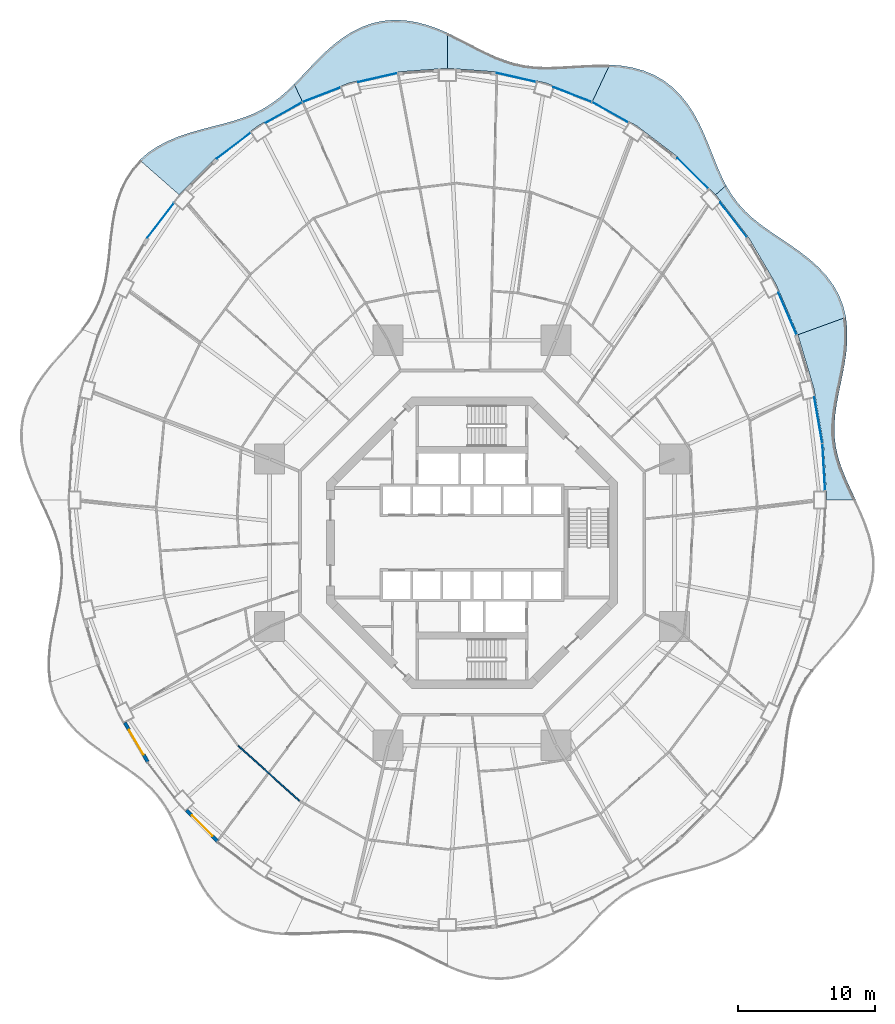
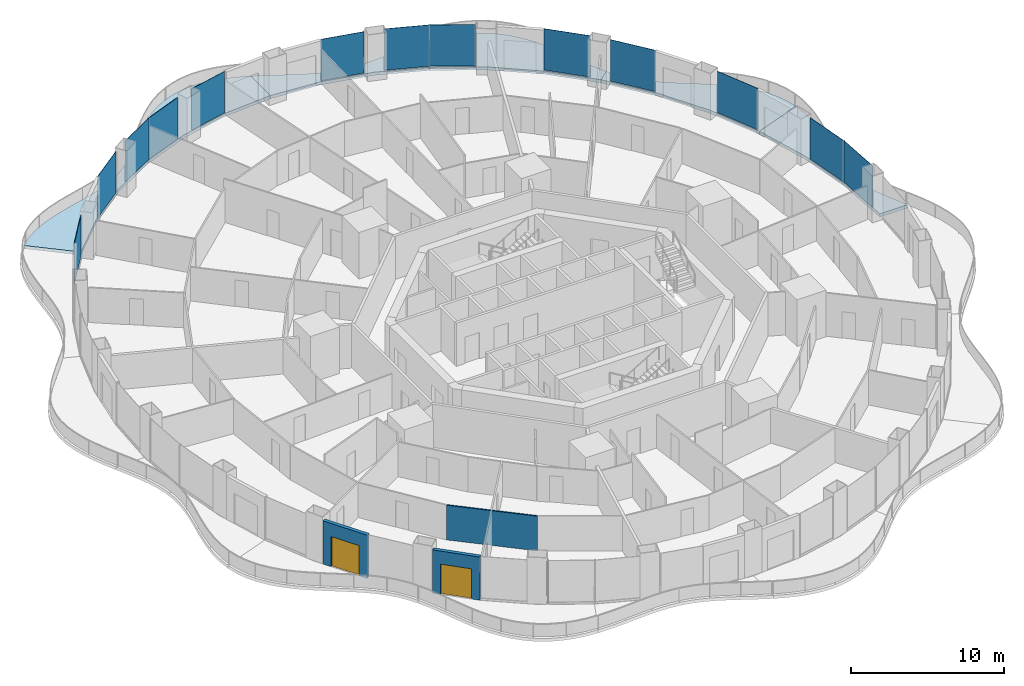
# One storey, part 13 of 22: 13 plates, 6 slabs, 3 walls, 2 doors, 2 openings, 13 elements without a shape of their own.
"""IFC4 building model written with IfcOpenShell, lengths in metres."""

from ifc_helpers import new_model, si_unit, direction, frame, frame_2d, origin, origin_2d, place, context, subcontext, project, spatial, polyline, rectangle, outline, extrude, material, layer, layer_set, type_object, element, fill, aggregate, save


model = new_model("IFC4")

# Units and contexts
model_context = context("Model", 3, precision=1e-05, world=origin(), true_north=direction((0.0, 1.0)))
body_context = subcontext(model_context, "Body", "Model", "MODEL_VIEW")
ifc_project = project(units=[si_unit("LENGTHUNIT", "METRE"), si_unit("AREAUNIT", "SQUARE_METRE"), si_unit("VOLUMEUNIT", "CUBIC_METRE"), si_unit("PLANEANGLEUNIT", "RADIAN"), si_unit("MASSUNIT", "GRAM", prefix="KILO")], contexts=[model_context])

# Site, building, storey
site_placement = place(None, origin())
site = spatial("IfcSite", under=ifc_project, at=site_placement, CompositionType="ELEMENT")
building_placement = place(site_placement, origin())
building = spatial("IfcBuilding", under=site, at=building_placement, Name="Nagisa Residences", CompositionType="ELEMENT")
storey_placement = place(building_placement, frame((0.0, 0.0, 106.60009765625)))
storey = spatial("IfcBuildingStorey", under=building, at=storey_placement, Name="L26", CompositionType="ELEMENT", Elevation=106.60009765625)

# Slabs
ifc_material_1 = material(Name="Concrete C40/50", Category="concrete")
ifc_layer_1 = layer(ifc_material_1, 0.25)
ifc_layer_set_1 = layer_set([ifc_layer_1], Name="BALCONY SLAB 250")
slab_type = type_object("IfcSlabType", Name="BALCONY SLAB 250", PredefinedType="FLOOR", material=ifc_layer_set_1)
slab_1_placement = place(storey_placement, frame((0.0, 0.0, -0.25)))
element("IfcSlab", 1, at=slab_1_placement, inside=storey, type_object=slab_type, Name="slab:L26:bal00", PredefinedType="FLOOR", context=body_context, shape_type="SweptSolid", body=[
    extrude(outline(polyline([(28.01025390625, 3.11767578125), (27.62939453125, 3.924072265625), (27.27197265625, 4.7158203125), (26.9609375, 5.496826171875), (26.714111328125, 6.272216796875), (26.5439453125, 7.0478515625), (26.456298828125, 7.830810546875), (26.4501953125, 8.62646484375), (26.517333984375, 9.440185546875), (26.643798828125, 10.274658203125), (26.809814453125, 11.130615234375), (26.99267578125, 12.006591796875), (27.166748046875, 12.897705078125), (27.306396484375, 13.79736328125), (27.386962890625, 14.69677734375), (27.387451171875, 15.585693359375), (27.291748046875, 16.45361328125), (23.786865234375, 15.177978515625), (24.951416015625, 11.2744140625), (25.657958984375, 7.231201171875), (25.89501953125, 3.11767578125), (28.01025390625, 3.11767578125)])), origin(), (0.0, 0.0, 1.0), 0.25),
])
slab_2_placement = place(storey_placement, frame((0.0, 0.0, -0.25)))
element("IfcSlab", 2, at=slab_2_placement, inside=storey, type_object=slab_type, Name="slab:L26:bal01", PredefinedType="FLOOR", context=body_context, shape_type="SweptSolid", body=[
    extrude(outline(polyline([(27.291748046875, 16.45361328125), (27.09619140625, 17.26513671875), (26.7958984375, 18.038818359375), (26.39208984375, 18.768798828125), (25.892578125, 19.45068359375), (25.3095703125, 20.08349609375), (24.659912109375, 20.669921875), (23.962890625, 21.21484375), (23.240478515625, 21.72705078125), (22.513427734375, 22.217041015625), (21.80224609375, 22.69775390625), (21.124267578125, 23.182373046875), (20.493408203125, 23.684326171875), (19.9189453125, 24.216064453125), (19.405029296875, 24.787841796875), (18.9501953125, 25.40625), (18.548583984375, 26.07470703125), (17.783203125, 25.402099609375), (20.171875, 22.302734375), (22.1845703125, 18.875244140625), (23.786865234375, 15.177978515625), (27.291748046875, 16.45361328125)])), origin(), (0.0, 0.0, 1.0), 0.25),
])
slab_3_placement = place(storey_placement, frame((0.0, 0.0, -0.25)))
element("IfcSlab", 3, at=slab_3_placement, inside=storey, type_object=slab_type, Name="slab:L26:bal02", PredefinedType="FLOOR", context=body_context, shape_type="SweptSolid", body=[
    extrude(outline(polyline([(18.548583984375, 26.07470703125), (18.205810546875, 26.7578125), (17.8896484375, 27.481201171875), (17.585693359375, 28.236572265625), (17.279052734375, 29.012939453125), (16.9541015625, 29.7958984375), (16.596923828125, 30.56982421875), (16.194580078125, 31.31787109375), (15.73779296875, 32.023193359375), (15.2197265625, 32.670166015625), (14.6376953125, 33.245361328125), (13.991943359375, 33.738037109375), (13.287109375, 34.141845703125), (12.530029296875, 34.453857421875), (11.730224609375, 34.676513671875), (10.89892578125, 34.816650390625), (10.048095703125, 34.88525390625), (8.79833984375, 32.233642578125), (12.047607421875, 30.410400390625), (15.0595703125, 28.1201171875), (17.783203125, 25.402099609375), (18.548583984375, 26.07470703125)])), origin(), (0.0, 0.0, 1.0), 0.25),
])
slab_4_placement = place(storey_placement, frame((0.0, 0.0, -0.25)))
element("IfcSlab", 4, at=slab_4_placement, inside=storey, type_object=slab_type, Name="slab:L26:bal03", PredefinedType="FLOOR", context=body_context, shape_type="SweptSolid", body=[
    extrude(outline(polyline([(10.048095703125, 34.88525390625), (9.220703125, 34.897216796875), (8.39599609375, 34.871337890625), (7.582275390625, 34.8251953125), (6.7861328125, 34.776123046875), (6.011474609375, 34.74072265625), (5.260009765625, 34.735107421875), (4.531494140625, 34.771484375), (3.82275390625, 34.860107421875), (3.129638671875, 35.006103515625), (2.445556640625, 35.210693359375), (1.7646484375, 35.47119140625), (1.079833984375, 35.779541015625), (0.385009765625, 36.124267578125), (-0.324462890625, 36.49072265625), (-1.052490234375, 36.861328125), (-1.800048828125, 37.21728515625), (-1.800048828125, 34.6328125), (1.81494140625, 34.363037109375), (5.367919921875, 33.558837890625), (8.79833984375, 32.233642578125), (10.048095703125, 34.88525390625)])), origin(), (0.0, 0.0, 1.0), 0.25),
])
slab_5_placement = place(storey_placement, frame((0.0, 0.0, -0.25)))
element("IfcSlab", 5, at=slab_5_placement, inside=storey, type_object=slab_type, Name="slab:L26:bal04", PredefinedType="FLOOR", context=body_context, shape_type="SweptSolid", body=[
    extrude(outline(polyline([(-1.800048828125, 37.21728515625), (-2.566650390625, 37.53955078125), (-3.349609375, 37.8095703125), (-4.14453125, 38.0107421875), (-4.945068359375, 38.12939453125), (-5.743896484375, 38.1552734375), (-6.533447265625, 38.08251953125), (-7.30615234375, 37.9091796875), (-8.05517578125, 37.638671875), (-8.775390625, 37.2783203125), (-9.462646484375, 36.83935546875), (-10.11572265625, 36.33642578125), (-10.73583984375, 35.7861328125), (-11.326171875, 35.206787109375), (-11.89208984375, 34.61669921875), (-12.44140625, 34.033447265625), (-12.982421875, 33.472900390625), (-12.3984375, 32.233642578125), (-8.968017578125, 33.558837890625), (-5.4150390625, 34.363037109375), (-1.800048828125, 34.6328125), (-1.800048828125, 37.21728515625)])), origin(), (0.0, 0.0, 1.0), 0.25),
])
slab_6_placement = place(storey_placement, frame((0.0, 0.0, -0.25)))
element("IfcSlab", 6, at=slab_6_placement, inside=storey, type_object=slab_type, Name="slab:L26:bal05", PredefinedType="FLOOR", context=body_context, shape_type="SweptSolid", body=[
    extrude(outline(polyline([(-12.982421875, 33.472900390625), (-13.54541015625, 32.92919921875), (-14.120849609375, 32.43505859375), (-14.718017578125, 31.9970703125), (-15.34521484375, 31.6171875), (-16.008056640625, 31.29248046875), (-16.709716796875, 31.016357421875), (-17.448974609375, 30.777587890625), (-18.221923828125, 30.563232421875), (-19.021240234375, 30.357421875), (-19.8359375, 30.14404296875), (-20.6533203125, 29.906982421875), (-21.45849609375, 29.630859375), (-22.236083984375, 29.303466796875), (-22.970947265625, 28.91455078125), (-23.649658203125, 28.457763671875), (-24.260009765625, 27.93017578125), (-21.38330078125, 25.402099609375), (-18.65966796875, 28.1201171875), (-15.6474609375, 30.410400390625), (-12.3984375, 32.233642578125), (-12.982421875, 33.472900390625)])), origin(), (0.0, 0.0, 1.0), 0.25),
])

# Curtain wall, plate
ifc_material_2 = material(Name="Concrete-coloured aluminium curtain wall system", Category="concrete")
ifc_layer_2 = layer(ifc_material_2, 0.159912109375)
ifc_layer_set_2 = layer_set([ifc_layer_2], Name="CW1 CURTAIN WALL")
curtain_wall_type = type_object("IfcCurtainWallType", Name="CW1 CURTAIN WALL", PredefinedType="NOTDEFINED", material=ifc_layer_set_2)
curtain_wall_1_placement = place(storey_placement, origin())
curtain_wall_1 = element("IfcCurtainWall", 7, at=curtain_wall_1_placement, inside=storey, type_object=curtain_wall_type, Name="cw:CW1:L26:00", PredefinedType="NOTDEFINED")
ifc_material_3 = material(Name="Clear laminated glass", Category="glass")
ifc_layer_3 = layer(ifc_material_3, 0.028076171875)
ifc_layer_set_3 = layer_set([ifc_layer_3], Name="CW1 GLASS PANEL")
plate_type = type_object("IfcPlateType", Name="CW1 GLASS PANEL", PredefinedType="CURTAIN_PANEL", material=ifc_layer_set_3)
plate_1_placement = place(storey_placement, frame((25.67626953125, 5.524169921875, 0.14990234375), z_axis=(0.0, 0.0, 1.0), x_axis=(-0.057503492216, 0.998345305184, 0.0)))
plate_1 = element("IfcPlate", 8, at=plate_1_placement, type_object=plate_type, Name="CW1 panel", PredefinedType="CURTAIN_PANEL", context=body_context, shape_type="SweptSolid", body=[
    extrude(rectangle(XDim=3.410400390625, YDim=0.028076171875, at=origin_2d()), origin(), (0.0, 0.0, 1.0), 3.2900390625),
])
aggregate(curtain_wall_1, [plate_1])

curtain_wall_2_placement = place(storey_placement, origin())
curtain_wall_2 = element("IfcCurtainWall", 9, at=curtain_wall_2_placement, inside=storey, type_object=curtain_wall_type, Name="cw:CW1:L26:01", PredefinedType="NOTDEFINED")
plate_2_placement = place(storey_placement, frame((25.276611328125, 8.948486328125, 0.14990234375), z_axis=(0.0, 0.0, 1.0), x_axis=(-0.172190868898, 0.985063604377, 0.0)))
plate_2 = element("IfcPlate", 10, at=plate_2_placement, type_object=plate_type, Name="CW1 panel", PredefinedType="CURTAIN_PANEL", context=body_context, shape_type="SweptSolid", body=[
    extrude(rectangle(XDim=3.39453125, YDim=0.028076171875, at=origin_2d()), origin(), (0.0, 0.0, 1.0), 3.2900390625),
])
aggregate(curtain_wall_2, [plate_2])

curtain_wall_3_placement = place(storey_placement, origin())
curtain_wall_3 = element("IfcCurtainWall", 11, at=curtain_wall_3_placement, inside=storey, type_object=curtain_wall_type, Name="cw:CW1:L26:03", PredefinedType="NOTDEFINED")
plate_3_placement = place(storey_placement, frame((23.029541015625, 16.72412109375, 0.14990234375), z_axis=(0.0, 0.0, 1.0), x_axis=(-0.397635934147, 0.917543276295, 0.0)))
plate_3 = element("IfcPlate", 12, at=plate_3_placement, type_object=plate_type, Name="CW1 panel", PredefinedType="CURTAIN_PANEL", context=body_context, shape_type="SweptSolid", body=[
    extrude(rectangle(XDim=3.319580078125, YDim=0.028076171875, at=origin_2d()), origin(), (0.0, 0.0, 1.0), 3.2900390625),
])
aggregate(curtain_wall_3, [plate_3])

curtain_wall_4_placement = place(storey_placement, origin())
curtain_wall_4 = element("IfcCurtainWall", 13, at=curtain_wall_4_placement, inside=storey, type_object=curtain_wall_type, Name="cw:CW1:L26:05", PredefinedType="NOTDEFINED")
plate_4_placement = place(storey_placement, frame((19.09423828125, 23.570068359375, 0.14990234375), z_axis=(0.0, 0.0, 1.0), x_axis=(-0.610429828235, 0.792070340816, 0.0)))
plate_4 = element("IfcPlate", 14, at=plate_4_placement, type_object=plate_type, Name="CW1 panel", PredefinedType="CURTAIN_PANEL", context=body_context, shape_type="SweptSolid", body=[
    extrude(rectangle(XDim=3.202880859375, YDim=0.028076171875, at=origin_2d()), origin(), (0.0, 0.0, 1.0), 3.2900390625),
])
aggregate(curtain_wall_4, [plate_4])

curtain_wall_5_placement = place(storey_placement, origin())
curtain_wall_5 = element("IfcCurtainWall", 15, at=curtain_wall_5_placement, inside=storey, type_object=curtain_wall_type, Name="cw:CW1:L26:06", PredefinedType="NOTDEFINED")
plate_5_placement = place(storey_placement, frame((16.11376953125, 26.955322265625, 0.14990234375), z_axis=(0.0, 0.0, 1.0), x_axis=(-0.707835924016, 0.706376885714, 0.0)))
plate_5 = element("IfcPlate", 16, at=plate_5_placement, type_object=plate_type, Name="CW1 panel", PredefinedType="CURTAIN_PANEL", context=body_context, shape_type="SweptSolid", body=[
    extrude(rectangle(XDim=3.137939453125, YDim=0.028076171875, at=origin_2d()), origin(), (0.0, 0.0, 1.0), 3.2900390625),
])
aggregate(curtain_wall_5, [plate_5])

curtain_wall_6_placement = place(storey_placement, origin())
curtain_wall_6 = element("IfcCurtainWall", 17, at=curtain_wall_6_placement, inside=storey, type_object=curtain_wall_type, Name="cw:CW1:L26:08", PredefinedType="NOTDEFINED")
plate_6_placement = place(storey_placement, frame((10.07421875, 31.426025390625, 0.14990234375), z_axis=(0.0, 0.0, 1.0), x_axis=(-0.872072377523, 0.489376918501, 0.0)))
plate_6 = element("IfcPlate", 18, at=plate_6_placement, type_object=plate_type, Name="CW1 panel", PredefinedType="CURTAIN_PANEL", context=body_context, shape_type="SweptSolid", body=[
    extrude(rectangle(XDim=3.015625, YDim=0.028076171875, at=origin_2d()), origin(), (0.0, 0.0, 1.0), 3.2900390625),
])
aggregate(curtain_wall_6, [plate_6])

curtain_wall_7_placement = place(storey_placement, origin())
curtain_wall_7 = element("IfcCurtainWall", 19, at=curtain_wall_7_placement, inside=storey, type_object=curtain_wall_type, Name="cw:CW1:L26:09", PredefinedType="NOTDEFINED")
plate_7_placement = place(storey_placement, frame((7.32958984375, 32.71533203125, 0.14990234375), z_axis=(0.0, 0.0, 1.0), x_axis=(-0.932825759707, 0.360327770268, 0.0)))
plate_7 = element("IfcPlate", 20, at=plate_7_placement, type_object=plate_type, Name="CW1 panel", PredefinedType="CURTAIN_PANEL", context=body_context, shape_type="SweptSolid", body=[
    extrude(rectangle(XDim=2.967529296875, YDim=0.028076171875, at=origin_2d()), origin(), (0.0, 0.0, 1.0), 3.2900390625),
])
aggregate(curtain_wall_7, [plate_7])

curtain_wall_8_placement = place(storey_placement, origin())
curtain_wall_8 = element("IfcCurtainWall", 21, at=curtain_wall_8_placement, inside=storey, type_object=curtain_wall_type, Name="cw:CW1:L26:10", PredefinedType="NOTDEFINED")
plate_8_placement = place(storey_placement, frame((3.2275390625, 33.96142578125, 0.14990234375), z_axis=(0.0, 0.0, 1.0), x_axis=(-0.975327274089, 0.2207639201, 0.0)))
plate_8 = element("IfcPlate", 22, at=plate_8_placement, type_object=plate_type, Name="CW1 panel", PredefinedType="CURTAIN_PANEL", context=body_context, shape_type="SweptSolid", body=[
    extrude(rectangle(XDim=2.932861328125, YDim=0.028076171875, at=origin_2d()), origin(), (0.0, 0.0, 1.0), 3.2900390625),
])
aggregate(curtain_wall_8, [plate_8])

curtain_wall_9_placement = place(storey_placement, origin())
curtain_wall_9 = element("IfcCurtainWall", 23, at=curtain_wall_9_placement, inside=storey, type_object=curtain_wall_type, Name="cw:CW1:L26:13", PredefinedType="NOTDEFINED")
plate_9_placement = place(storey_placement, frame((-6.885986328125, 33.947998046875, 0.14990234375), z_axis=(0.0, 0.0, 1.0), x_axis=(-0.975327274089, -0.2207639201, 0.0)))
plate_9 = element("IfcPlate", 24, at=plate_9_placement, type_object=plate_type, Name="CW1 panel", PredefinedType="CURTAIN_PANEL", context=body_context, shape_type="SweptSolid", body=[
    extrude(rectangle(XDim=2.932861328125, YDim=0.028076171875, at=origin_2d()), origin(), (0.0, 0.0, 1.0), 3.2900390625),
])
aggregate(curtain_wall_9, [plate_9])

curtain_wall_10_placement = place(storey_placement, origin())
curtain_wall_10 = element("IfcCurtainWall", 25, at=curtain_wall_10_placement, inside=storey, type_object=curtain_wall_type, Name="cw:CW1:L26:14", PredefinedType="NOTDEFINED")
plate_10_placement = place(storey_placement, frame((-10.985595703125, 32.69384765625, 0.14990234375), z_axis=(0.0, 0.0, 1.0), x_axis=(-0.932825759707, -0.360327770268, 0.0)))
plate_10 = element("IfcPlate", 26, at=plate_10_placement, type_object=plate_type, Name="CW1 panel", PredefinedType="CURTAIN_PANEL", context=body_context, shape_type="SweptSolid", body=[
    extrude(rectangle(XDim=2.967529296875, YDim=0.028076171875, at=origin_2d()), origin(), (0.0, 0.0, 1.0), 3.2900390625),
])
aggregate(curtain_wall_10, [plate_10])

curtain_wall_11_placement = place(storey_placement, origin())
curtain_wall_11 = element("IfcCurtainWall", 27, at=curtain_wall_11_placement, inside=storey, type_object=curtain_wall_type, Name="cw:CW1:L26:15", PredefinedType="NOTDEFINED")
plate_11_placement = place(storey_placement, frame((-13.7265625, 31.396728515625, 0.14990234375), z_axis=(0.0, 0.0, 1.0), x_axis=(-0.872072377523, -0.489376918501, 0.0)))
plate_11 = element("IfcPlate", 28, at=plate_11_placement, type_object=plate_type, Name="CW1 panel", PredefinedType="CURTAIN_PANEL", context=body_context, shape_type="SweptSolid", body=[
    extrude(rectangle(XDim=3.015625, YDim=0.028076171875, at=origin_2d()), origin(), (0.0, 0.0, 1.0), 3.2900390625),
])
aggregate(curtain_wall_11, [plate_11])

curtain_wall_12_placement = place(storey_placement, origin())
curtain_wall_12 = element("IfcCurtainWall", 29, at=curtain_wall_12_placement, inside=storey, type_object=curtain_wall_type, Name="cw:CW1:L26:16", PredefinedType="NOTDEFINED")
plate_12_placement = place(storey_placement, frame((-17.3876953125, 28.98681640625, 0.14990234375), z_axis=(0.0, 0.0, 1.0), x_axis=(-0.79603132756, -0.605255421737, 0.0)))
plate_12 = element("IfcPlate", 30, at=plate_12_placement, type_object=plate_type, Name="CW1 panel", PredefinedType="CURTAIN_PANEL", context=body_context, shape_type="SweptSolid", body=[
    extrude(rectangle(XDim=3.073974609375, YDim=0.028076171875, at=origin_2d()), origin(), (0.0, 0.0, 1.0), 3.2900390625),
])
aggregate(curtain_wall_12, [plate_12])

curtain_wall_13_placement = place(storey_placement, origin())
curtain_wall_13 = element("IfcCurtainWall", 31, at=curtain_wall_13_placement, inside=storey, type_object=curtain_wall_type, Name="cw:CW1:L26:18", PredefinedType="NOTDEFINED")
plate_13_placement = place(storey_placement, frame((-22.73095703125, 23.5224609375, 0.14990234375), z_axis=(0.0, 0.0, 1.0), x_axis=(-0.610429828235, -0.792070340816, 0.0)))
plate_13 = element("IfcPlate", 32, at=plate_13_placement, type_object=plate_type, Name="CW1 panel", PredefinedType="CURTAIN_PANEL", context=body_context, shape_type="SweptSolid", body=[
    extrude(rectangle(XDim=3.202880859375, YDim=0.028076171875, at=origin_2d()), origin(), (0.0, 0.0, 1.0), 3.2900390625),
])
aggregate(curtain_wall_13, [plate_13])

# Wall
ifc_material_4 = material(Name="Gypsum board on steel studs", Category="steel")
ifc_layer_4 = layer(ifc_material_4, 0.10009765625)
ifc_layer_set_4 = layer_set([ifc_layer_4], Name="Apartment partition 100")
wall_type_1 = type_object("IfcWallType", Name="Apartment partition 100", PredefinedType="PARTITIONING", material=ifc_layer_set_4)
wall_1_placement = place(storey_placement, frame((-17.062744140625, -14.826904296875, 0.0), z_axis=(0.0, 0.0, 1.0), x_axis=(0.743485143578, -0.668752451419, 0.0)))
element("IfcWall", 33, at=wall_1_placement, inside=storey, type_object=wall_type_1, Name="wall:L26:u69", PredefinedType="PARTITIONING", context=body_context, shape_type="SweptSolid", body=[
    extrude(rectangle(XDim=6.037109375, YDim=0.10009765625, at=frame_2d((3.0185546875, 0.0))), origin(), (0.0, 0.0, 1.0), 2.761962890625),
])

# Wall, opening, door
ifc_material_5 = material(Name="Precast concrete C40/50", Category="concrete")
ifc_layer_5 = layer(ifc_material_5, 0.25)
ifc_layer_set_5 = layer_set([ifc_layer_5], Name="BALCONY DOOR WALL 250")
wall_type_2 = type_object("IfcWallType", Name="BALCONY DOOR WALL 250", PredefinedType="SOLIDWALL", material=ifc_layer_set_5)
wall_2_placement = place(storey_placement, frame((-23.6640625, -16.004150390625, 0.0), z_axis=(0.0, 0.0, 1.0), x_axis=(-0.506352525095, 0.86232657406, 0.0)))
wall_2 = element("IfcWall", 34, at=wall_2_placement, inside=storey, type_object=wall_type_2, Name="wall:L26:bay28", PredefinedType="SOLIDWALL", context=body_context, shape_type="SweptSolid", body=[
    extrude(rectangle(XDim=3.324951171875, YDim=0.25, at=frame_2d((1.66259765625, 0.0))), origin(), (0.0, 0.0, 1.0), 3.43994140625),
])
opening_1_placement = place(wall_2_placement, frame((0.6123046875, 0.0, 0.0)))
opening_1 = element("IfcOpeningElement", 35, at=opening_1_placement, cuts=wall_2, Name="Opening BD-L26-10", PredefinedType="OPENING", context=body_context, shape_type="SweptSolid", body=[
    extrude(rectangle(XDim=2.10009765625, YDim=2.39990234375, at=frame_2d((1.050048828125, 1.199951171875))), frame((0.0, 0.135009765625, 0.0), z_axis=(0.0, -1.0, 0.0), x_axis=(1.0, 0.0, 0.0)), (0.0, 0.0, 1.0), 0.27001953125),
])
ifc_material_6 = material(Name="Aluminium and clear glass", Category="aluminium")
door_type = type_object("IfcDoorType", Name="BALCONY SLIDING DOOR 2100x2400", OperationType="SLIDING_TO_LEFT", PredefinedType="DOOR", material=ifc_material_6)
door_1_placement = place(opening_1_placement, origin())
door_1 = element("IfcDoor", 36, at=door_1_placement, inside=storey, type_object=door_type, Name="door:L26:bay28", OperationType="SLIDING_TO_LEFT", OverallHeight=2.39990234375, OverallWidth=2.10009765625, PredefinedType="DOOR", context=body_context, shape_type="SweptSolid", body=[
    extrude(rectangle(XDim=2.10009765625, YDim=2.39990234375, at=frame_2d((1.050048828125, 1.199951171875))), frame((0.0, 0.02490234375, 0.0), z_axis=(0.0, -1.0, 0.0), x_axis=(1.0, 0.0, 0.0)), (0.0, 0.0, 1.0), 0.050048828125),
])
fill(opening_1, door_1)

wall_3_placement = place(storey_placement, frame((-18.5712890625, -21.79638671875, 0.0), z_axis=(0.0, 0.0, 1.0), x_axis=(-0.707831646613, 0.706381171927, 0.0)))
wall_3 = element("IfcWall", 37, at=wall_3_placement, inside=storey, type_object=wall_type_2, Name="wall:L26:bay30", PredefinedType="SOLIDWALL", context=body_context, shape_type="SweptSolid", body=[
    extrude(rectangle(XDim=3.197998046875, YDim=0.25, at=frame_2d((1.59912109375, 0.0))), origin(), (0.0, 0.0, 1.0), 3.43994140625),
])
opening_2_placement = place(wall_3_placement, frame((0.548828125, 0.0, 0.0)))
opening_2 = element("IfcOpeningElement", 38, at=opening_2_placement, cuts=wall_3, Name="Opening BD-L26-11", PredefinedType="OPENING", context=body_context, shape_type="SweptSolid", body=[
    extrude(rectangle(XDim=2.10009765625, YDim=2.39990234375, at=frame_2d((1.050048828125, 1.199951171875))), frame((0.0, 0.135009765625, 0.0), z_axis=(0.0, -1.0, 0.0), x_axis=(1.0, 0.0, 0.0)), (0.0, 0.0, 1.0), 0.27001953125),
])
door_2_placement = place(opening_2_placement, origin())
door_2 = element("IfcDoor", 39, at=door_2_placement, inside=storey, type_object=door_type, Name="door:L26:bay30", OperationType="SLIDING_TO_LEFT", OverallHeight=2.39990234375, OverallWidth=2.10009765625, PredefinedType="DOOR", context=body_context, shape_type="SweptSolid", body=[
    extrude(rectangle(XDim=2.10009765625, YDim=2.39990234375, at=frame_2d((1.050048828125, 1.199951171875))), frame((0.0, 0.02490234375, 0.0), z_axis=(0.0, -1.0, 0.0), x_axis=(1.0, 0.0, 0.0)), (0.0, 0.0, 1.0), 0.050048828125),
])
fill(opening_2, door_2)

save(model, "model.ifc")
